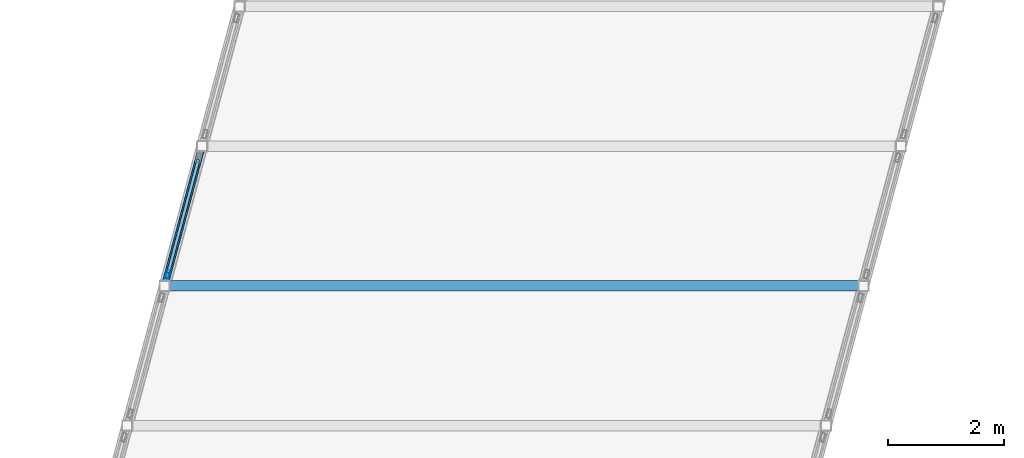
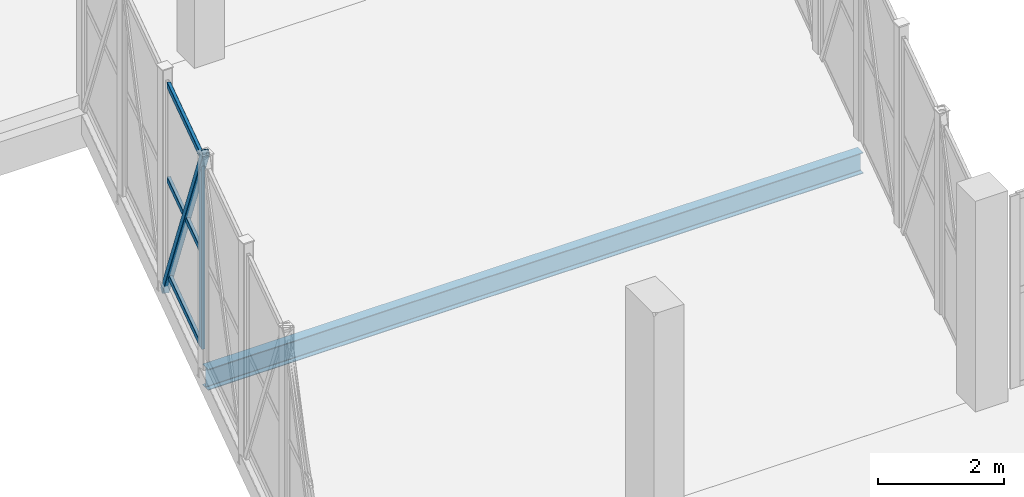
# One storey, part 80 of 127: 5 members, 1 beam, 1 element without a shape of its own.
"""IFC4 building model written with IfcOpenShell, lengths in metres."""

import ifcopenshell
import ifcopenshell.guid

model = None  # the IFC model being written
_history = None  # IfcOwnerHistory: only IFC2X3 demands one
_inside = {}  # id of a spatial element -> (the spatial element, [elements in it])
_under = {}  # id of a project, library or spatial element -> (it, [spatial elements below it])
_declared = {}  # id of a project -> (the project, [libraries it declares])
_typed = {}  # id of a type object -> (the type object, [elements of that type])
_made_of = {}  # id of a material, layer set ... -> (it, [elements and type objects made of it])


def new_model(schema):
    """Start an empty IFC model of exactly this schema.

    Asked for "IFC4X3", IfcOpenShell would pick the latest addendum, in which some entities
    have other attributes; the version numbers below select the first issue.
    IFC2X3 requires an IfcOwnerHistory on every rooted entity: one is made here for all.
    """
    global model, _history
    if schema == "IFC4X3":
        model = ifcopenshell.file(schema_version=(4, 3, 0, 0))
    else:
        model = ifcopenshell.file(schema=schema)
    _inside.clear()
    _under.clear()
    _declared.clear()
    _typed.clear()
    _made_of.clear()
    _history = None
    if model.schema == "IFC2X3":
        org = make("IfcOrganization", Name="unknown")
        user = make(
            "IfcPersonAndOrganization",
            ThePerson=make("IfcPerson", FamilyName="unknown"),
            TheOrganization=org,
        )
        app = make(
            "IfcApplication",
            ApplicationDeveloper=org,
            Version="unknown",
            ApplicationFullName="unknown",
            ApplicationIdentifier="unknown",
        )
        _history = make(
            "IfcOwnerHistory",
            OwningUser=user,
            OwningApplication=app,
            ChangeAction="ADDED",
            CreationDate=0,
        )
    return model


def make(cls, **values):
    """One entity of the class cls with the attributes given. An attribute that is None is left unset."""
    return model.create_entity(
        cls, **{name: value for name, value in values.items() if value is not None}
    )


def rooted(cls, **values):
    """An entity with a GlobalId (a new one), such as an element, a storey or a relation."""
    return make(cls, GlobalId=ifcopenshell.guid.new(), OwnerHistory=_history, **values)


def si_unit(unit_type, name, prefix=None):
    """IfcSIUnit, for example si_unit("LENGTHUNIT", "METRE", prefix="MILLI")."""
    return make("IfcSIUnit", UnitType=unit_type, Prefix=prefix, Name=name)


def assignment(units):
    """IfcUnitAssignment: the units of a project."""
    return None if units is None else make("IfcUnitAssignment", Units=units)


def point(xyz):
    """IfcCartesianPoint."""
    return None if xyz is None else make("IfcCartesianPoint", Coordinates=xyz)


def direction(xyz):
    """IfcDirection."""
    return None if xyz is None else make("IfcDirection", DirectionRatios=xyz)


def frame(location, z_axis=None, x_axis=None):
    """IfcAxis2Placement3D, a coordinate frame: its origin and axes. An axis left out is left unset."""
    return make(
        "IfcAxis2Placement3D",
        Location=point(location),
        Axis=direction(z_axis),
        RefDirection=direction(x_axis),
    )


def frame_2d(location, x_axis=None):
    """IfcAxis2Placement2D, a coordinate frame in the plane: its origin and x axis."""
    return make(
        "IfcAxis2Placement2D", Location=point(location), RefDirection=direction(x_axis)
    )


def origin():
    """The frame at (0, 0, 0) with its axes left unset."""
    return frame((0.0, 0.0, 0.0))


def origin_2d():
    """The frame at (0, 0) in the plane with its x axis left unset."""
    return frame_2d((0.0, 0.0))


def place(relative_to, where):
    """IfcLocalPlacement: puts the frame where relative to a parent placement (None: the world)."""
    return make(
        "IfcLocalPlacement", PlacementRelTo=relative_to, RelativePlacement=where
    )


def context(
    kind, dimensions, precision=None, world=None, true_north=None, identifier=None
):
    """IfcGeometricRepresentationContext, for example the 3D "Model" context."""
    return make(
        "IfcGeometricRepresentationContext",
        ContextIdentifier=identifier,
        ContextType=kind,
        CoordinateSpaceDimension=dimensions,
        Precision=precision,
        WorldCoordinateSystem=world,
        TrueNorth=true_north,
    )


def subcontext(parent, identifier, kind, view, scale=None):
    """IfcGeometricRepresentationSubContext, for example "Body" below "Model"."""
    return make(
        "IfcGeometricRepresentationSubContext",
        ContextIdentifier=identifier,
        ContextType=kind,
        ParentContext=parent,
        TargetScale=scale,
        TargetView=view,
    )


def project(units=None, contexts=None):
    """IfcProject with its units and contexts."""
    return rooted(
        "IfcProject",
        Name="project",
        RepresentationContexts=contexts,
        UnitsInContext=assignment(units),
    )


def spatial(cls, under=None, at=None, **own):
    """A site, building, storey or space (cls), placed at a placement, below another one or the project."""
    s = rooted(cls, ObjectPlacement=at, **own)
    if under is not None:
        _under.setdefault(under.id(), (under, []))[1].append(s)
    return s


def profile(cls, at=None, kind="AREA", **sizes):
    """A parametric profile (cls). Its sizes go by their IFC names, for example OverallWidth=200.0."""
    return make(cls, ProfileType=kind, Position=at, **sizes)


def hollow_rectangle(**sizes):
    """IfcRectangleHollowProfileDef."""
    return profile("IfcRectangleHollowProfileDef", **sizes)


def i_section(**sizes):
    """IfcIShapeProfileDef."""
    return profile("IfcIShapeProfileDef", **sizes)


def extrude(swept, where, along, depth):
    """IfcExtrudedAreaSolid: the profile swept, set in the frame where, extruded along a direction by depth."""
    return make(
        "IfcExtrudedAreaSolid",
        SweptArea=swept,
        Position=where,
        ExtrudedDirection=direction(along),
        Depth=depth,
    )


def shape(context_of_items, identifier, shape_type, items):
    """IfcShapeRepresentation: the items that make up one representation, for example the "Body"."""
    return make(
        "IfcShapeRepresentation",
        ContextOfItems=context_of_items,
        RepresentationIdentifier=identifier,
        RepresentationType=shape_type,
        Items=items,
    )


def material(Name=None, Category=None):
    """IfcMaterial."""
    return make("IfcMaterial", Name=Name, Category=Category)


def layer(
    of_material, thickness, ventilated=None, Name=None, Category=None, Priority=None
):
    """IfcMaterialLayer: one layer of a wall or slab, of a material (None: an air gap)."""
    return make(
        "IfcMaterialLayer",
        Material=of_material,
        LayerThickness=thickness,
        IsVentilated=ventilated,
        Name=Name,
        Category=Category,
        Priority=Priority,
    )


def layer_set(layers, Name=None):
    """IfcMaterialLayerSet."""
    return make("IfcMaterialLayerSet", MaterialLayers=layers, LayerSetName=Name)


def material_profile(
    of_material, cross_section, Name=None, Category=None, Priority=None
):
    """IfcMaterialProfile: a cross section and its material."""
    return make(
        "IfcMaterialProfile",
        Name=Name,
        Material=of_material,
        Profile=cross_section,
        Priority=Priority,
        Category=Category,
    )


def profile_set(profiles, Name=None, composite=None):
    """IfcMaterialProfileSet."""
    return make(
        "IfcMaterialProfileSet",
        Name=Name,
        MaterialProfiles=profiles,
        CompositeProfile=composite,
    )


def made_of(thing, what):
    """Note that an element or type object is made of a material, layer set ...; save() writes the relation."""
    if what is not None:
        _made_of.setdefault(what.id(), (what, []))[1].append(thing)
    return thing


def type_object(cls, material=None, **own):
    """A type object (cls), such as IfcWallType, which elements share."""
    return made_of(rooted(cls, **own), material)


def element(
    cls,
    number,
    at=None,
    inside=None,
    cuts=None,
    type_object=None,
    material=None,
    context=None,
    identifier="Body",
    shape_type=None,
    held_by="IfcProductDefinitionShape",
    body=None,
    shapes=None,
    **own,
):
    """One element of the class cls, such as IfcWall. Its Tag is "e" and its number.

    at: its placement. inside: the storey or other place that contains it. cuts: it is an
    opening in that element (IfcRelVoidsElement). A single representation is given by context,
    identifier, shape_type and body (its items); several are given by shapes. held_by: the class
    of the entity that holds the representations. save() writes the other relations.
    """
    e = rooted(cls, Tag="e%d" % number, ObjectPlacement=at, **own)
    if body is not None:
        shapes = [shape(context, identifier, shape_type, body)]
    if shapes is not None:
        e.Representation = make(held_by, Representations=shapes)
    if inside is not None:
        _inside.setdefault(inside.id(), (inside, []))[1].append(e)
    if cuts is not None:
        rooted(
            "IfcRelVoidsElement", RelatingBuildingElement=cuts, RelatedOpeningElement=e
        )
    if type_object is not None:
        _typed.setdefault(type_object.id(), (type_object, []))[1].append(e)
    return made_of(e, material)


def aggregate(whole, parts):
    """IfcRelAggregates: a whole, such as a stair, and the parts it consists of."""
    return rooted("IfcRelAggregates", RelatingObject=whole, RelatedObjects=parts)


def save(model, path):
    """Write the relations noted so far, then the file.

    IfcRelAggregates (storeys below a building ...), IfcRelContainedInSpatialStructure (elements
    in a storey), IfcRelDefinesByType, IfcRelAssociatesMaterial and IfcRelDeclares: one each for
    every whole, place, type object, material and project.
    """
    for whole, parts in _under.values():
        aggregate(whole, parts)
    for where, things in _inside.values():
        rooted(
            "IfcRelContainedInSpatialStructure",
            RelatedElements=things,
            RelatingStructure=where,
        )
    for kind, things in _typed.values():
        rooted("IfcRelDefinesByType", RelatedObjects=things, RelatingType=kind)
    for what, things in _made_of.values():
        rooted("IfcRelAssociatesMaterial", RelatedObjects=things, RelatingMaterial=what)
    for by, libraries in _declared.values():
        rooted("IfcRelDeclares", RelatingContext=by, RelatedDefinitions=libraries)
    model.write(path)


model = new_model("IFC4")

# Units and contexts
model_context = context("Model", 3, precision=1e-05, world=origin(), true_north=direction((0.0, 1.0)))
body_context = subcontext(model_context, "Body", "Model", "MODEL_VIEW")
ifc_project = project(units=[si_unit("LENGTHUNIT", "METRE"), si_unit("AREAUNIT", "SQUARE_METRE"), si_unit("VOLUMEUNIT", "CUBIC_METRE"), si_unit("PLANEANGLEUNIT", "RADIAN"), si_unit("MASSUNIT", "GRAM", prefix="KILO")], contexts=[model_context])

# Site, building, storey
site_placement = place(None, origin())
site = spatial("IfcSite", under=ifc_project, at=site_placement, CompositionType="ELEMENT")
building_placement = place(site_placement, origin())
building = spatial("IfcBuilding", under=site, at=building_placement, Name="Dunvalen Ferry Terminal", CompositionType="ELEMENT")
storey_placement = place(building_placement, frame((0.0, 0.0, 5.760009765625)))
storey = spatial("IfcBuildingStorey", under=building, at=storey_placement, Name="L01", CompositionType="ELEMENT", Elevation=5.760009765625)

# Curtain wall, members
ifc_material_1 = material(Name="Anodised marine aluminium and solar-control glazing", Category="aluminium")
ifc_layer = layer(ifc_material_1, 0.159912109375, Name="Anodised marine aluminium and solar-control glazing")
ifc_layer_set = layer_set([ifc_layer], Name="Anodised marine aluminium and solar-control glazing")
curtain_wall_type = type_object("IfcCurtainWallType", Name="ENV-CW-SYS-07", PredefinedType="NOTDEFINED", material=ifc_layer_set)
curtain_wall_placement = place(storey_placement, origin())
curtain_wall = element("IfcCurtainWall", 1, at=curtain_wall_placement, inside=storey, type_object=curtain_wall_type, Name="L01 Curtain Wall CW-BRG2-S1-4", PredefinedType="NOTDEFINED")
ifc_material_2 = material(Name="Anodised marine aluminium EN AW-6063 T6", Category="aluminium")
ifc_material_profile_1 = material_profile(ifc_material_2, hollow_rectangle(XDim=0.06005859375, YDim=0.14990234375, WallThickness=0.00341796875, InnerFilletRadius=0.00341796875, OuterFilletRadius=0.007080078125, at=origin_2d()), Name="Anodised marine aluminium EN AW-6063 T6")
ifc_profile_set_1 = profile_set([ifc_material_profile_1], Name="Anodised marine aluminium EN AW-6063 T6")
member_type_1 = type_object("IfcMemberType", Name="ENV-CW-MUL-3", PredefinedType="MULLION", material=ifc_profile_set_1)
member_1_placement = place(storey_placement, frame((127.9833984375, 93.8017578125, 0.0), z_axis=(0.0, 0.0, 1.0), x_axis=(-0.965934620531, 0.258786222315, 0.0)))
member_1 = element("IfcMember", 2, at=member_1_placement, type_object=member_type_1, Name="CW-07 mullion 1", PredefinedType="MULLION", context=body_context, shape_type="SweptSolid", body=[
    extrude(hollow_rectangle(XDim=0.06005859375, YDim=0.14990234375, WallThickness=0.00341796875, InnerFilletRadius=0.00341796875, OuterFilletRadius=0.007080078125, at=origin_2d()), origin(), (0.0, 0.0, 1.0), 3.719970703125),
])
ifc_material_profile_2 = material_profile(ifc_material_2, hollow_rectangle(XDim=0.06005859375, YDim=0.114990234375, WallThickness=0.0029296875, InnerFilletRadius=0.0029296875, OuterFilletRadius=0.006103515625, at=origin_2d()), Name="Anodised marine aluminium EN AW-6063 T6")
ifc_profile_set_2 = profile_set([ifc_material_profile_2], Name="Anodised marine aluminium EN AW-6063 T6")
member_type_2 = type_object("IfcMemberType", Name="ENV-CW-TRN-3", PredefinedType="USERDEFINED", material=ifc_profile_set_2)
member_2_placement = place(storey_placement, frame((127.9912109375, 93.830810546875, 0.030029296875), z_axis=(0.258760408924, 0.965941535898, 0.0), x_axis=(-0.965941535898, 0.258760408924, 0.0)))
member_2 = element("IfcMember", 3, at=member_2_placement, type_object=member_type_2, Name="CW-07 transom 1.1", ObjectType="TRANSOM", PredefinedType="USERDEFINED", context=body_context, shape_type="SweptSolid", body=[
    extrude(hollow_rectangle(XDim=0.06005859375, YDim=0.114990234375, WallThickness=0.0029296875, InnerFilletRadius=0.0029296875, OuterFilletRadius=0.006103515625, at=origin_2d()), origin(), (0.0, 0.0, 1.0), 2.0068359375),
])
member_3_placement = place(storey_placement, frame((127.9912109375, 93.830810546875, 1.860107421875), z_axis=(0.258760408924, 0.965941535898, 0.0), x_axis=(-0.965941535898, 0.258760408924, 0.0)))
member_3 = element("IfcMember", 4, at=member_3_placement, type_object=member_type_2, Name="CW-07 transom 1.2", ObjectType="TRANSOM", PredefinedType="USERDEFINED", context=body_context, shape_type="SweptSolid", body=[
    extrude(hollow_rectangle(XDim=0.06005859375, YDim=0.114990234375, WallThickness=0.0029296875, InnerFilletRadius=0.0029296875, OuterFilletRadius=0.006103515625, at=origin_2d()), origin(), (0.0, 0.0, 1.0), 2.0068359375),
])
member_4_placement = place(storey_placement, frame((127.9912109375, 93.830810546875, 3.68994140625), z_axis=(0.258760408924, 0.965941535898, 0.0), x_axis=(-0.965941535898, 0.258760408924, 0.0)))
member_4 = element("IfcMember", 5, at=member_4_placement, type_object=member_type_2, Name="CW-07 transom 1.3", ObjectType="TRANSOM", PredefinedType="USERDEFINED", context=body_context, shape_type="SweptSolid", body=[
    extrude(hollow_rectangle(XDim=0.06005859375, YDim=0.114990234375, WallThickness=0.0029296875, InnerFilletRadius=0.0029296875, OuterFilletRadius=0.006103515625, at=origin_2d()), origin(), (0.0, 0.0, 1.0), 2.0068359375),
])
aggregate(curtain_wall, [member_1, member_2, member_3, member_4])

# Beam
ifc_material_3 = material(Name="Steel S355", Category="steel")
ifc_material_profile_3 = material_profile(ifc_material_3, i_section(OverallWidth=0.177978515625, OverallDepth=0.406494140625, WebThickness=0.0078125, FlangeThickness=0.0126953125, FilletRadius=0.01025390625, at=origin_2d()), Name="Steel S355")
ifc_profile_set_3 = profile_set([ifc_material_profile_3], Name="Steel S355")
beam_type = type_object("IfcBeamType", Name="STR-BM-UKB406", PredefinedType="JOIST", material=ifc_profile_set_3)
beam_placement = place(storey_placement, frame((127.92919921875, 93.60009765625, -0.449951171875), z_axis=(1.0, 0.0, 0.0), x_axis=(0.0, 1.0, 0.0)))
element("IfcBeam", 6, at=beam_placement, inside=storey, type_object=beam_type, Name="Boarding Bridge 2 Floor Crossbeam 3", PredefinedType="JOIST", context=body_context, shape_type="SweptSolid", body=[
    extrude(i_section(OverallWidth=0.177978515625, OverallDepth=0.406494140625, WebThickness=0.0078125, FlangeThickness=0.0126953125, FilletRadius=0.01025390625, at=origin_2d()), origin(), (0.0, 0.0, 1.0), 12.0),
])

# Member
ifc_material_profile_4 = material_profile(ifc_material_3, hollow_rectangle(XDim=0.1201171875, YDim=0.1201171875, WallThickness=0.00634765625, InnerFilletRadius=0.00634765625, OuterFilletRadius=0.0126953125, at=origin_2d()), Name="Steel S355")
ifc_profile_set_4 = profile_set([ifc_material_profile_4], Name="Steel S355")
member_type_3 = type_object("IfcMemberType", Name="STR-MB-SHS120", PredefinedType="BRACE", material=ifc_profile_set_4)
member_5_placement = place(storey_placement, frame((127.92919921875, 93.60009765625, 3.89990234375), z_axis=(0.128594483559, 0.479910316395, -0.867841890563), x_axis=(-0.965924366126, 0.258824494443, 0.0)))
element("IfcMember", 7, at=member_5_placement, inside=storey, type_object=member_type_3, Name="Boarding Bridge 2 Warren Diagonal 1.4", PredefinedType="BRACE", context=body_context, shape_type="SweptSolid", body=[
    extrude(hollow_rectangle(XDim=0.1201171875, YDim=0.1201171875, WallThickness=0.00634765625, InnerFilletRadius=0.00634765625, OuterFilletRadius=0.0126953125, at=origin_2d()), origin(), (0.0, 0.0, 1.0), 5.000732421875),
])

save(model, "model.ifc")
